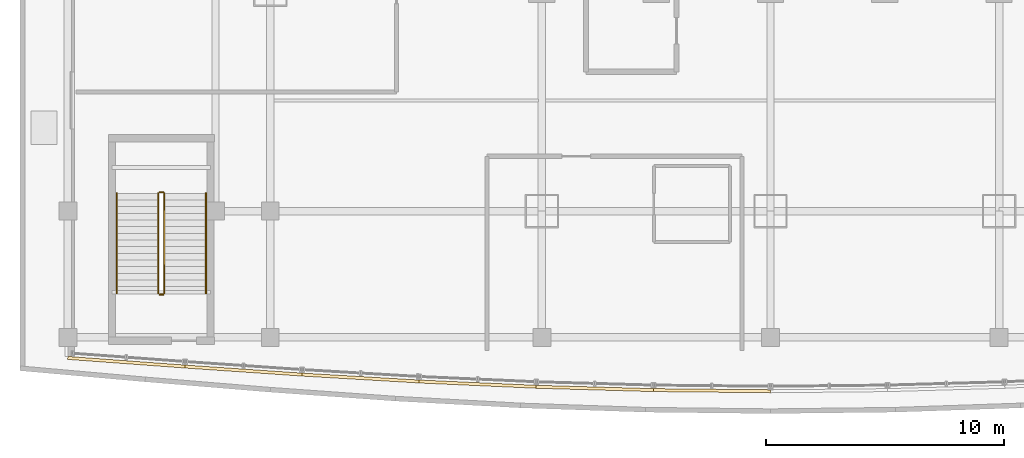
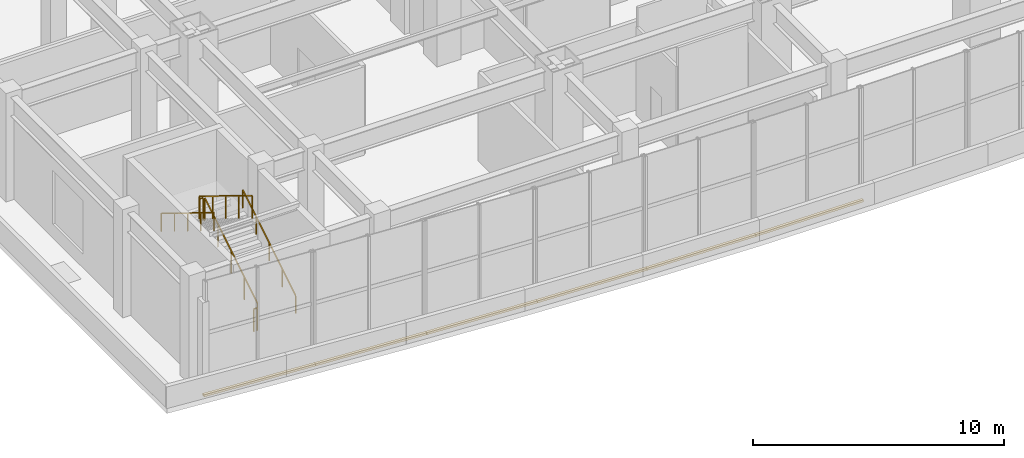
# One storey, part 16 of 24: 6 coverings, 6 railings.
"""IFC4 building model written with IfcOpenShell, lengths in metres."""

from ifc_helpers import new_model, si_unit, direction, frame, origin, origin_2d, place, context, subcontext, project, spatial, polyline, rectangle, outline, extrude, material, layer, layer_set, type_object, element, save


model = new_model("IFC4")

# Units and contexts
model_context = context("Model", 3, precision=1e-05, world=origin(), true_north=direction((0.0, 1.0)))
body_context = subcontext(model_context, "Body", "Model", "MODEL_VIEW")
ifc_project = project(units=[si_unit("LENGTHUNIT", "METRE"), si_unit("AREAUNIT", "SQUARE_METRE"), si_unit("VOLUMEUNIT", "CUBIC_METRE"), si_unit("PLANEANGLEUNIT", "RADIAN"), si_unit("MASSUNIT", "GRAM", prefix="KILO")], contexts=[model_context])

# Site, building, storey
site_placement = place(None, origin())
site = spatial("IfcSite", under=ifc_project, at=site_placement, CompositionType="ELEMENT")
building_placement = place(site_placement, origin())
building = spatial("IfcBuilding", under=site, at=building_placement, Name="Vantalir Tower", CompositionType="ELEMENT")
storey_placement = place(building_placement, frame((0.0, 0.0, 16.0)))
storey = spatial("IfcBuildingStorey", under=building, at=storey_placement, Name="L03", CompositionType="ELEMENT", Elevation=16.0)

# Coverings
ifc_material_1 = material(Name="Anodised champagne aluminium sill fascia", Category="aluminium")
ifc_layer = layer(ifc_material_1, 0.125)
ifc_layer_set = layer_set([ifc_layer], Name="Anodised champagne aluminium sill fascia")
covering_type = type_object("IfcCoveringType", Name="COV-SLAB-FASCIA-125", PredefinedType="CLADDING", material=ifc_layer_set)
covering_1_placement = place(storey_placement, frame((0.0, 0.0, -0.179931640625)))
element("IfcCovering", 1, at=covering_1_placement, inside=storey, type_object=covering_type, Name="L03 South Prow Slab-Edge Fascia 01", PredefinedType="CLADDING", context=body_context, shape_type="SweptSolid", body=[
    extrude(outline(polyline([(2.0, 2.39990234375), (1.990966796875, 2.27490234375), (6.907958984375, 1.9130859375), (6.9169921875, 2.0380859375), (2.0, 2.39990234375)])), origin(), (0.0, 0.0, 1.0), 0.10498046875),
])
covering_2_placement = place(storey_placement, frame((0.0, 0.0, -0.179931640625)))
element("IfcCovering", 2, at=covering_2_placement, inside=storey, type_object=covering_type, Name="L03 South Prow Slab-Edge Fascia 02", PredefinedType="CLADDING", context=body_context, shape_type="SweptSolid", body=[
    extrude(outline(polyline([(6.9169921875, 2.0380859375), (6.907958984375, 1.9130859375), (11.823974609375, 1.574951171875), (11.8330078125, 1.699951171875), (6.9169921875, 2.0380859375)])), origin(), (0.0, 0.0, 1.0), 0.10498046875),
])
covering_3_placement = place(storey_placement, frame((0.0, 0.0, -0.179931640625)))
element("IfcCovering", 3, at=covering_3_placement, inside=storey, type_object=covering_type, Name="L03 South Prow Slab-Edge Fascia 03", PredefinedType="CLADDING", context=body_context, shape_type="SweptSolid", body=[
    extrude(outline(polyline([(11.8330078125, 1.699951171875), (11.825927734375, 1.574951171875), (16.742919921875, 1.284912109375), (16.75, 1.409912109375), (11.8330078125, 1.699951171875)])), origin(), (0.0, 0.0, 1.0), 0.10498046875),
])
covering_4_placement = place(storey_placement, frame((0.0, 0.0, -0.179931640625)))
element("IfcCovering", 4, at=covering_4_placement, inside=storey, type_object=covering_type, Name="L03 South Prow Slab-Edge Fascia 04", PredefinedType="CLADDING", context=body_context, shape_type="SweptSolid", body=[
    extrude(outline(polyline([(16.75, 1.409912109375), (16.743896484375, 1.284912109375), (21.660888671875, 1.06298828125), (21.6669921875, 1.18798828125), (16.75, 1.409912109375)])), origin(), (0.0, 0.0, 1.0), 0.10498046875),
])
covering_5_placement = place(storey_placement, frame((0.0, 0.0, -0.179931640625)))
element("IfcCovering", 5, at=covering_5_placement, inside=storey, type_object=covering_type, Name="L03 South Prow Slab-Edge Fascia 05", PredefinedType="CLADDING", context=body_context, shape_type="SweptSolid", body=[
    extrude(outline(polyline([(21.6669921875, 1.18798828125), (21.6630859375, 1.06298828125), (26.5791015625, 0.923095703125), (26.5830078125, 1.048095703125), (21.6669921875, 1.18798828125)])), origin(), (0.0, 0.0, 1.0), 0.10498046875),
])
covering_6_placement = place(storey_placement, frame((0.0, 0.0, -0.179931640625)))
element("IfcCovering", 6, at=covering_6_placement, inside=storey, type_object=covering_type, Name="L03 South Prow Slab-Edge Fascia 06", PredefinedType="CLADDING", context=body_context, shape_type="SweptSolid", body=[
    extrude(outline(polyline([(26.5830078125, 1.048095703125), (26.58203125, 0.923095703125), (31.4990234375, 0.875), (31.5, 1.0), (26.5830078125, 1.048095703125)])), origin(), (0.0, 0.0, 1.0), 0.10498046875),
])

# Railings
ifc_material_2 = material(Name="Anodised aluminium and stainless steel guard", Category="steel")
railing_type_1 = type_object("IfcRailingType", Name="RAL-GUARD-1120", PredefinedType="GUARDRAIL", material=ifc_material_2)
railing_1_placement = place(storey_placement, frame((6.050048828125, 5.050048828125, 0.171875)))
element("IfcRailing", 7, at=railing_1_placement, inside=storey, type_object=railing_type_1, Name="L03 PST3 stair guard 1", PredefinedType="GUARDRAIL", context=body_context, shape_type="SweptSolid", body=[
    extrude(rectangle(XDim=0.048095703125, YDim=0.048095703125, at=origin_2d()), frame((0.0, 0.0, 1.09619140625), z_axis=(0.0, 0.852242915053, 0.523146264196), x_axis=(-1.0, 0.0, 0.0)), (0.0, 0.0, 1.0), 4.92822265625),
    extrude(rectangle(XDim=0.0419921875, YDim=0.0419921875, at=origin_2d()), origin(), (0.0, 0.0, 1.0), 1.072021484375),
    extrude(rectangle(XDim=0.0419921875, YDim=0.0419921875, at=origin_2d()), frame((0.0, 1.050048828125, 0.64453125)), (0.0, 0.0, 1.0), 1.072021484375),
    extrude(rectangle(XDim=0.0419921875, YDim=0.0419921875, at=origin_2d()), frame((0.0, 2.10009765625, 1.2890625)), (0.0, 0.0, 1.0), 1.072021484375),
    extrude(rectangle(XDim=0.0419921875, YDim=0.0419921875, at=origin_2d()), frame((0.0, 3.14990234375, 1.93359375)), (0.0, 0.0, 1.0), 1.072021484375),
    extrude(rectangle(XDim=0.0419921875, YDim=0.0419921875, at=origin_2d()), frame((0.0, 4.199951171875, 2.578125)), (0.0, 0.0, 1.0), 1.072021484375),
])
railing_2_placement = place(storey_placement, frame((6.0, 9.300048828125, 2.75)))
element("IfcRailing", 8, at=railing_2_placement, inside=storey, type_object=railing_type_1, Name="L03 PST3 stair guard 2", PredefinedType="GUARDRAIL", context=body_context, shape_type="SweptSolid", body=[
    extrude(rectangle(XDim=0.048095703125, YDim=0.048095703125, at=origin_2d()), frame((0.0, 0.0, 1.09619140625), z_axis=(-1.0, 0.0, 0.0), x_axis=(0.0, -1.0, 0.0)), (0.0, 0.0, 1.0), 0.14990234375),
    extrude(rectangle(XDim=0.0419921875, YDim=0.0419921875, at=origin_2d()), origin(), (0.0, 0.0, 1.0), 1.072021484375),
    extrude(rectangle(XDim=0.0419921875, YDim=0.0419921875, at=origin_2d()), frame((-0.14990234375, 0.0, 0.0)), (0.0, 0.0, 1.0), 1.072021484375),
])
railing_3_placement = place(storey_placement, frame((5.800048828125, 9.25, 2.921875)))
element("IfcRailing", 9, at=railing_3_placement, inside=storey, type_object=railing_type_1, Name="L03 PST3 stair guard 3", PredefinedType="GUARDRAIL", context=body_context, shape_type="SweptSolid", body=[
    extrude(rectangle(XDim=0.048095703125, YDim=0.048095703125, at=origin_2d()), frame((0.0, 0.0, 1.09619140625), z_axis=(0.0, -0.852242915053, 0.523146264196), x_axis=(1.0, 0.0, 0.0)), (0.0, 0.0, 1.0), 4.92822265625),
    extrude(rectangle(XDim=0.0419921875, YDim=0.0419921875, at=origin_2d()), origin(), (0.0, 0.0, 1.0), 1.072021484375),
    extrude(rectangle(XDim=0.0419921875, YDim=0.0419921875, at=origin_2d()), frame((0.0, -1.050048828125, 0.64453125)), (0.0, 0.0, 1.0), 1.072021484375),
    extrude(rectangle(XDim=0.0419921875, YDim=0.0419921875, at=origin_2d()), frame((0.0, -2.10009765625, 1.2890625)), (0.0, 0.0, 1.0), 1.072021484375),
    extrude(rectangle(XDim=0.0419921875, YDim=0.0419921875, at=origin_2d()), frame((0.0, -3.14990234375, 1.93359375)), (0.0, 0.0, 1.0), 1.072021484375),
    extrude(rectangle(XDim=0.0419921875, YDim=0.0419921875, at=origin_2d()), frame((0.0, -4.199951171875, 2.578125)), (0.0, 0.0, 1.0), 1.072021484375),
])
railing_4_placement = place(storey_placement, frame((6.0, 5.0, 0.0)))
element("IfcRailing", 10, at=railing_4_placement, inside=storey, type_object=railing_type_1, Name="L03 PST3 stair guard 4", PredefinedType="GUARDRAIL", context=body_context, shape_type="SweptSolid", body=[
    extrude(rectangle(XDim=0.048095703125, YDim=0.048095703125, at=origin_2d()), frame((0.0, 0.0, 1.09619140625), z_axis=(-1.0, 0.0, 0.0), x_axis=(0.0, -1.0, 0.0)), (0.0, 0.0, 1.0), 0.14990234375),
    extrude(rectangle(XDim=0.0419921875, YDim=0.0419921875, at=origin_2d()), origin(), (0.0, 0.0, 1.0), 1.072021484375),
    extrude(rectangle(XDim=0.0419921875, YDim=0.0419921875, at=origin_2d()), frame((-0.14990234375, 0.0, 0.0)), (0.0, 0.0, 1.0), 1.072021484375),
])
ifc_material_3 = material(Name="Brushed stainless steel tubular handrail", Category="steel")
railing_type_2 = type_object("IfcRailingType", Name="RAL-HANDRAIL-900", PredefinedType="HANDRAIL", material=ifc_material_3)
railing_5_placement = place(storey_placement, frame((7.800048828125, 5.050048828125, 0.171875)))
element("IfcRailing", 11, at=railing_5_placement, inside=storey, type_object=railing_type_2, Name="L03 PST3 stair handrail 1", PredefinedType="HANDRAIL", context=body_context, shape_type="SweptSolid", body=[
    extrude(rectangle(XDim=0.048095703125, YDim=0.048095703125, at=origin_2d()), frame((0.0, 0.0, 0.8759765625), z_axis=(0.0, 0.852242915053, 0.523146264196), x_axis=(-1.0, 0.0, 0.0)), (0.0, 0.0, 1.0), 4.92822265625),
    extrude(rectangle(XDim=0.0419921875, YDim=0.0419921875, at=origin_2d()), origin(), (0.0, 0.0, 1.0), 0.851806640625),
    extrude(rectangle(XDim=0.0419921875, YDim=0.0419921875, at=origin_2d()), frame((0.0, 1.050048828125, 0.64453125)), (0.0, 0.0, 1.0), 0.851806640625),
    extrude(rectangle(XDim=0.0419921875, YDim=0.0419921875, at=origin_2d()), frame((0.0, 2.10009765625, 1.2890625)), (0.0, 0.0, 1.0), 0.851806640625),
    extrude(rectangle(XDim=0.0419921875, YDim=0.0419921875, at=origin_2d()), frame((0.0, 3.14990234375, 1.93359375)), (0.0, 0.0, 1.0), 0.851806640625),
    extrude(rectangle(XDim=0.0419921875, YDim=0.0419921875, at=origin_2d()), frame((0.0, 4.199951171875, 2.578125)), (0.0, 0.0, 1.0), 0.851806640625),
])
railing_6_placement = place(storey_placement, frame((4.050048828125, 9.25, 2.921875)))
element("IfcRailing", 12, at=railing_6_placement, inside=storey, type_object=railing_type_2, Name="L03 PST3 stair handrail 2", PredefinedType="HANDRAIL", context=body_context, shape_type="SweptSolid", body=[
    extrude(rectangle(XDim=0.048095703125, YDim=0.048095703125, at=origin_2d()), frame((0.0, 0.0, 0.8759765625), z_axis=(0.0, -0.852242915053, 0.523146264196), x_axis=(1.0, 0.0, 0.0)), (0.0, 0.0, 1.0), 4.92822265625),
    extrude(rectangle(XDim=0.0419921875, YDim=0.0419921875, at=origin_2d()), origin(), (0.0, 0.0, 1.0), 0.851806640625),
    extrude(rectangle(XDim=0.0419921875, YDim=0.0419921875, at=origin_2d()), frame((0.0, -1.050048828125, 0.64453125)), (0.0, 0.0, 1.0), 0.851806640625),
    extrude(rectangle(XDim=0.0419921875, YDim=0.0419921875, at=origin_2d()), frame((0.0, -2.10009765625, 1.2890625)), (0.0, 0.0, 1.0), 0.851806640625),
    extrude(rectangle(XDim=0.0419921875, YDim=0.0419921875, at=origin_2d()), frame((0.0, -3.14990234375, 1.93359375)), (0.0, 0.0, 1.0), 0.851806640625),
    extrude(rectangle(XDim=0.0419921875, YDim=0.0419921875, at=origin_2d()), frame((0.0, -4.199951171875, 2.578125)), (0.0, 0.0, 1.0), 0.851806640625),
])

save(model, "model.ifc")
